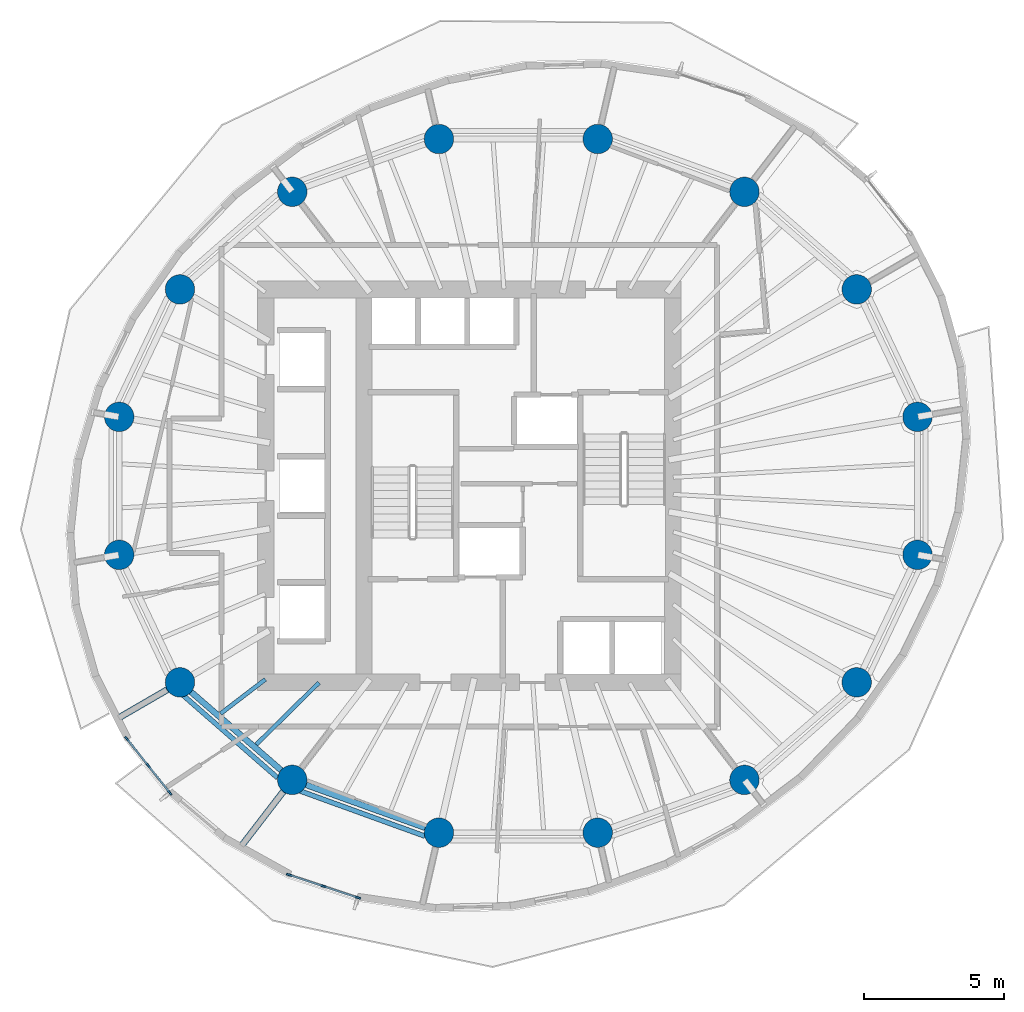
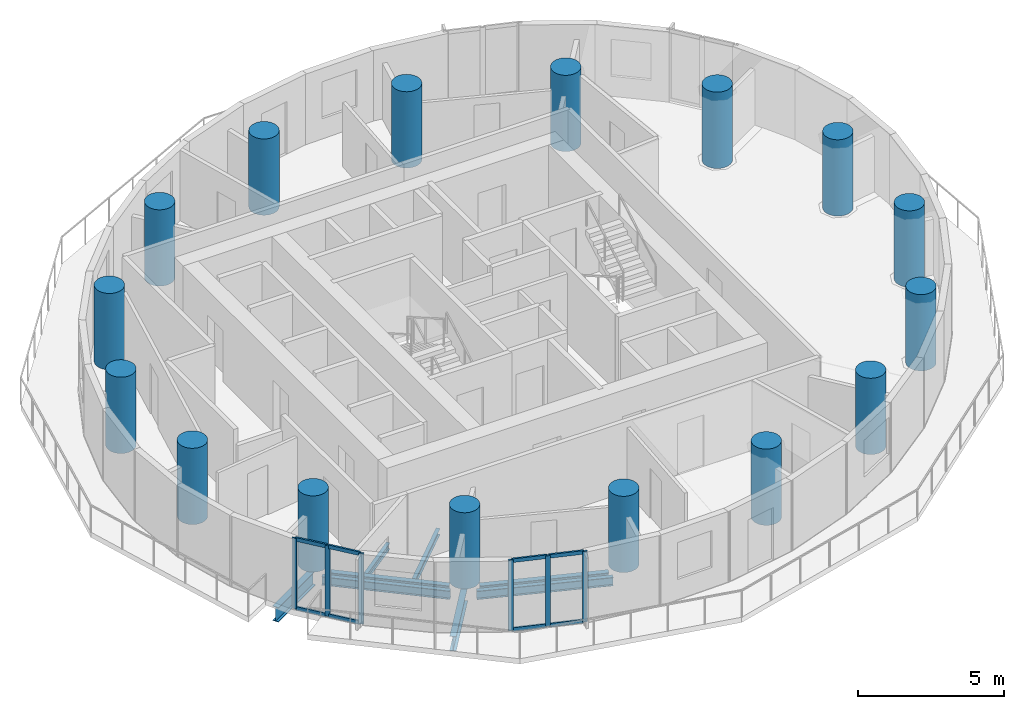
# One storey, part 1 of 12: 16 columns, 14 members, 8 beams, 2 elements without a shape of their own.
"""IFC4 building model written with IfcOpenShell, lengths in metres."""

from ifc_helpers import new_model, si_unit, direction, frame, origin, origin_2d, place, context, subcontext, project, spatial, rectangle, circle, i_section, extrude, material, material_profile, profile_set, type_object, element, aggregate, save


model = new_model("IFC4")

# Units and contexts
model_context = context("Model", 3, precision=1e-05, world=origin(), true_north=direction((0.0, 1.0)))
body_context = subcontext(model_context, "Body", "Model", "MODEL_VIEW")
ifc_project = project(units=[si_unit("LENGTHUNIT", "METRE"), si_unit("AREAUNIT", "SQUARE_METRE"), si_unit("VOLUMEUNIT", "CUBIC_METRE"), si_unit("PLANEANGLEUNIT", "RADIAN"), si_unit("MASSUNIT", "GRAM", prefix="KILO")], contexts=[model_context])

# Site, building, storey
site_placement = place(None, origin())
site = spatial("IfcSite", under=ifc_project, at=site_placement, CompositionType="ELEMENT")
building_placement = place(site_placement, origin())
building = spatial("IfcBuilding", under=site, at=building_placement, Name="Veldorim Arch Residences", CompositionType="ELEMENT")
storey_placement = place(building_placement, frame((0.0, 0.0, 136.159912109375)))
storey = spatial("IfcBuildingStorey", under=building, at=storey_placement, Name="L40", CompositionType="ELEMENT", Elevation=136.159912109375)

# Columns
ifc_material_1 = material(Name="Concrete C50/60", Category="concrete")
ifc_material_profile_1 = material_profile(ifc_material_1, circle(Radius=0.52490234375, at=origin_2d()), Name="RC_CIRC_1050")
ifc_profile_set_1 = profile_set([ifc_material_profile_1], Name="Concrete C50/60")
column_type = type_object("IfcColumnType", Name="Structural Column RC_CIRC_1050", PredefinedType="COLUMN", material=ifc_profile_set_1)
for number, where, z_axis, x_axis, name in (
    (1, (46.221435546875, 26.4580078125, 0.0), (0.0, 0.0, 1.0), (1.0, 0.0, 0.0), "L40 TC-Z3-01 perimeter column"),
    (2, (44.056396484375, 31.000244140625, 0.0), (0.0, 0.0, 1.0), (1.0, 0.0, 0.0), "L40 TC-Z3-02 perimeter column"),
    (3, (40.055908203125, 34.4765625, 0.0), (0.0, 0.0, 1.0), (1.0, 0.0, 0.0), "L40 TC-Z3-03 perimeter column"),
    (4, (34.828857421875, 36.35791015625, 0.0), (0.0, 0.0, 1.0), (1.0, 0.0, 0.0), "L40 TC-Z3-04 perimeter column"),
    (5, (29.171142578125, 36.35791015625, 0.0), (0.0, 0.0, 1.0), (1.0, 0.0, 0.0), "L40 TC-Z3-05 perimeter column"),
    (6, (23.944091796875, 34.4765625, 0.0), (0.0, 0.0, 1.0), (1.0, 0.0, 0.0), "L40 TC-Z3-06 perimeter column"),
    (7, (19.943603515625, 31.000244140625, 0.0), (0.0, 0.0, 1.0), (1.0, 0.0, 0.0), "L40 TC-Z3-07 perimeter column"),
    (8, (17.778564453125, 26.4580078125, 0.0), (0.0, 0.0, 1.0), (1.0, 0.0, 0.0), "L40 TC-Z3-08 perimeter column"),
    (9, (17.778564453125, 21.5419921875, 0.0), (0.0, 0.0, 1.0), (1.0, 0.0, 0.0), "L40 TC-Z3-09 perimeter column"),
    (10, (19.943603515625, 16.999755859375, 0.0), (0.0, 0.0, 1.0), (1.0, 0.0, 0.0), "L40 TC-Z3-10 perimeter column"),
    (11, (23.944091796875, 13.5234375, 0.0), (0.0, 0.0, 1.0), (1.0, 0.0, 0.0), "L40 TC-Z3-11 perimeter column"),
    (12, (29.171142578125, 11.64208984375, 0.0), (0.0, 0.0, 1.0), (1.0, 0.0, 0.0), "L40 TC-Z3-12 perimeter column"),
    (13, (34.828857421875, 11.64208984375, 0.0), (0.0, 0.0, 1.0), (1.0, 0.0, 0.0), "L40 TC-Z3-13 perimeter column"),
    (14, (40.055908203125, 13.5234375, 0.0), (0.0, 0.0, 1.0), (1.0, 0.0, 0.0), "L40 TC-Z3-14 perimeter column"),
    (15, (44.056396484375, 16.999755859375, 0.0), (0.0, 0.0, 1.0), (1.0, 0.0, 0.0), "L40 TC-Z3-15 perimeter column"),
    (16, (46.221435546875, 21.5419921875, 0.0), (0.0, 0.0, 1.0), (1.0, 0.0, 0.0), "L40 TC-Z3-16 perimeter column"),
):
    element("IfcColumn", number, at=place(storey_placement, frame(where, z_axis=z_axis, x_axis=x_axis)), inside=storey, type_object=column_type, Name=name, PredefinedType="COLUMN", context=body_context, shape_type="SweptSolid", body=[
        extrude(circle(Radius=0.52490234375, at=origin_2d()), origin(), (0.0, 0.0, 1.0), 3.2001953125),
    ])

# Beams
ifc_material_2 = material(Name="Steel S355", Category="steel")
ifc_material_profile_2 = material_profile(ifc_material_2, i_section(OverallWidth=0.2099609375, OverallDepth=0.53662109375, WebThickness=0.0107421875, FlangeThickness=0.017333984375, at=origin_2d()), Name="UB533x210x101")
ifc_profile_set_2 = profile_set([ifc_material_profile_2], Name="Steel S355")
beam_type_1 = type_object("IfcBeamType", Name="Structural Steel Beam UB533x210x101", PredefinedType="BEAM", material=ifc_profile_set_2)
beam_1_placement = place(storey_placement, frame((20.340087890625, 16.655517578125, -0.50830078125), z_axis=(0.754810789581, -0.655942582802, 0.0), x_axis=(0.655942582802, 0.754810789581, 0.0)))
element("IfcBeam", 17, at=beam_1_placement, inside=storey, type_object=beam_type_1, Name="L40 perimeter ring tie beam 10", PredefinedType="BEAM", context=body_context, shape_type="SweptSolid", body=[
    extrude(i_section(OverallWidth=0.2099609375, OverallDepth=0.53662109375, WebThickness=0.0107421875, FlangeThickness=0.017333984375, at=origin_2d()), origin(), (0.0, 0.0, 1.0), 4.249755859375),
])
beam_2_placement = place(storey_placement, frame((24.438232421875, 13.345703125, -0.50830078125), z_axis=(0.940899155006, -0.338686846673, 0.0), x_axis=(0.338686846673, 0.940899155006, 0.0)))
element("IfcBeam", 18, at=beam_2_placement, inside=storey, type_object=beam_type_1, Name="L40 perimeter ring tie beam 11", PredefinedType="BEAM", context=body_context, shape_type="SweptSolid", body=[
    extrude(i_section(OverallWidth=0.2099609375, OverallDepth=0.53662109375, WebThickness=0.0107421875, FlangeThickness=0.017333984375, at=origin_2d()), origin(), (0.0, 0.0, 1.0), 4.50537109375),
])
ifc_material_3 = material(Name="Steel S355", Category="steel")
ifc_material_profile_3 = material_profile(ifc_material_3, i_section(OverallWidth=0.22900390625, OverallDepth=0.6123046875, WebThickness=0.011962890625, FlangeThickness=0.01953125, at=origin_2d()), Name="UB610x229x125")
ifc_profile_set_3 = profile_set([ifc_material_profile_3], Name="Steel S355")
beam_type_2 = type_object("IfcBeamType", Name="Structural Steel Beam UB610x229x125", PredefinedType="BEAM", material=ifc_profile_set_3)
beam_3_placement = place(storey_placement, frame((19.926513671875, 16.98974609375, -0.5458984375), z_axis=(-0.864786295309, -0.502140083488, 0.0), x_axis=(0.502140083488, -0.864786295309, 0.0)))
element("IfcBeam", 19, at=beam_3_placement, inside=storey, type_object=beam_type_2, Name="L40 radial edge cantilever girder 10", PredefinedType="BEAM", context=body_context, shape_type="SweptSolid", body=[
    extrude(i_section(OverallWidth=0.22900390625, OverallDepth=0.6123046875, WebThickness=0.011962890625, FlangeThickness=0.01953125, at=origin_2d()), origin(), (0.0, 0.0, 1.0), 2.579833984375),
])
beam_4_placement = place(storey_placement, frame((23.931884765625, 13.507568359375, -0.5458984375), z_axis=(-0.609562364778, -0.792738117821, 0.0), x_axis=(0.792738117821, -0.609562364778, 0.0)))
element("IfcBeam", 20, at=beam_4_placement, inside=storey, type_object=beam_type_2, Name="L40 radial edge cantilever girder 11", PredefinedType="BEAM", context=body_context, shape_type="SweptSolid", body=[
    extrude(i_section(OverallWidth=0.22900390625, OverallDepth=0.6123046875, WebThickness=0.011962890625, FlangeThickness=0.01953125, at=origin_2d()), origin(), (0.0, 0.0, 1.0), 3.021484375),
])
ifc_material_4 = material(Name="Steel S355", Category="steel")
ifc_material_profile_4 = material_profile(ifc_material_4, i_section(OverallWidth=0.146484375, OverallDepth=0.256103515625, WebThickness=0.00634765625, FlangeThickness=0.010986328125, at=origin_2d()), Name="UB254x146x37")
ifc_profile_set_4 = profile_set([ifc_material_profile_4], Name="Steel S355")
beam_type_3 = type_object("IfcBeamType", Name="Structural Steel Joist UB254x146x37", PredefinedType="JOIST", material=ifc_profile_set_4)
beam_5_placement = place(storey_placement, frame((22.984130859375, 17.10302734375, -0.367919921875), z_axis=(-0.794312925337, -0.607508828448, 0.0), x_axis=(0.607508828448, -0.794312925337, 0.0)))
element("IfcBeam", 21, at=beam_5_placement, inside=storey, type_object=beam_type_3, Name="L40 secondary radial floor joist 10-1", PredefinedType="JOIST", context=body_context, shape_type="SweptSolid", body=[
    extrude(i_section(OverallWidth=0.146484375, OverallDepth=0.256103515625, WebThickness=0.00634765625, FlangeThickness=0.010986328125, at=origin_2d()), origin(), (0.0, 0.0, 1.0), 2.006103515625),
])
beam_6_placement = place(storey_placement, frame((24.894287109375, 16.986083984375, -0.367919921875), z_axis=(-0.711683379532, -0.702500368183, 0.0), x_axis=(0.702500368183, -0.711683379532, 0.0)))
element("IfcBeam", 22, at=beam_6_placement, inside=storey, type_object=beam_type_3, Name="L40 secondary radial floor joist 10-2", PredefinedType="JOIST", context=body_context, shape_type="SweptSolid", body=[
    extrude(i_section(OverallWidth=0.146484375, OverallDepth=0.256103515625, WebThickness=0.00634765625, FlangeThickness=0.010986328125, at=origin_2d()), origin(), (0.0, 0.0, 1.0), 3.13720703125),
])
ifc_material_5 = material(Name="Steel S355", Category="steel")
ifc_material_profile_5 = material_profile(ifc_material_5, i_section(OverallWidth=0.172119140625, OverallDepth=0.35791015625, WebThickness=0.008056640625, FlangeThickness=0.012939453125, at=origin_2d()), Name="UB356x171x57")
ifc_profile_set_5 = profile_set([ifc_material_profile_5], Name="Steel S355")
beam_type_4 = type_object("IfcBeamType", Name="Structural Steel Spandrel UB356x171x57", PredefinedType="SPANDREL", material=ifc_profile_set_5)
beam_7_placement = place(storey_placement, frame((20.0419921875, 16.55078125, -0.43896484375), z_axis=(0.753014748982, -0.658003638148, 0.0), x_axis=(0.658003638148, 0.753014748982, 0.0)))
element("IfcBeam", 23, at=beam_7_placement, inside=storey, type_object=beam_type_4, Name="L40 perimeter chord spandrel beam 10", PredefinedType="SPANDREL", context=body_context, shape_type="SweptSolid", body=[
    extrude(i_section(OverallWidth=0.172119140625, OverallDepth=0.35791015625, WebThickness=0.008056640625, FlangeThickness=0.012939453125, at=origin_2d()), origin(), (0.0, 0.0, 1.0), 4.486572265625),
])
beam_8_placement = place(storey_placement, frame((24.20263671875, 13.13720703125, -0.43896484375), z_axis=(0.940212553113, -0.340588248429, 0.0), x_axis=(0.340588248429, 0.940212553113, 0.0)))
element("IfcBeam", 24, at=beam_8_placement, inside=storey, type_object=beam_type_4, Name="L40 perimeter chord spandrel beam 11", PredefinedType="SPANDREL", context=body_context, shape_type="SweptSolid", body=[
    extrude(i_section(OverallWidth=0.172119140625, OverallDepth=0.35791015625, WebThickness=0.008056640625, FlangeThickness=0.012939453125, at=origin_2d()), origin(), (0.0, 0.0, 1.0), 4.75390625),
])

# Curtain wall, members
ifc_material_6 = material(Name="Aluminium", Category="aluminium")
curtain_wall_type = type_object("IfcCurtainWallType", Name="Zone 3 High-Wind Unitised Curtain Wall", PredefinedType="NOTDEFINED", material=ifc_material_6)
curtain_wall_1_placement = place(storey_placement, origin())
curtain_wall_1 = element("IfcCurtainWall", 25, at=curtain_wall_1_placement, inside=storey, type_object=curtain_wall_type, Name="L40 unitised curtain wall bay 19", PredefinedType="NOTDEFINED")
ifc_material_7 = material(Name="Aluminium", Category="aluminium")
ifc_material_profile_6 = material_profile(ifc_material_7, rectangle(XDim=0.070068359375, YDim=0.179931640625, at=origin_2d()), Name="ALU_MUL_70x180")
ifc_profile_set_6 = profile_set([ifc_material_profile_6], Name="Aluminium")
member_type_1 = type_object("IfcMemberType", Name="Zone 3 High-Wind Unitised Curtain Wall Mullion 70x180", PredefinedType="MULLION", material=ifc_profile_set_6)
member_1_placement = place(storey_placement, frame((19.58251953125, 13.0634765625, 0.0), z_axis=(0.0, 0.0, 1.0), x_axis=(-0.782556048079, -0.622580140716, 0.0)))
member_1 = element("IfcMember", 26, at=member_1_placement, type_object=member_type_1, Name="CW-Z3 mullion 1", PredefinedType="MULLION", context=body_context, shape_type="SweptSolid", body=[
    extrude(rectangle(XDim=0.070068359375, YDim=0.179931640625, at=origin_2d()), origin(), (0.0, 0.0, 1.0), 2.960205078125),
])
member_2_placement = place(storey_placement, frame((18.8154296875, 14.02783203125, 0.0), z_axis=(0.0, 0.0, 1.0), x_axis=(-0.782556048079, -0.622580140716, 0.0)))
member_2 = element("IfcMember", 27, at=member_2_placement, type_object=member_type_1, Name="CW-Z3 mullion 2", PredefinedType="MULLION", context=body_context, shape_type="SweptSolid", body=[
    extrude(rectangle(XDim=0.070068359375, YDim=0.179931640625, at=origin_2d()), origin(), (0.0, 0.0, 1.0), 2.960205078125),
])
member_3_placement = place(storey_placement, frame((18.04833984375, 14.991943359375, 0.0), z_axis=(0.0, 0.0, 1.0), x_axis=(-0.782556048079, -0.622580140716, 0.0)))
member_3 = element("IfcMember", 28, at=member_3_placement, type_object=member_type_1, Name="CW-Z3 mullion 3", PredefinedType="MULLION", context=body_context, shape_type="SweptSolid", body=[
    extrude(rectangle(XDim=0.070068359375, YDim=0.179931640625, at=origin_2d()), origin(), (0.0, 0.0, 1.0), 2.960205078125),
])

curtain_wall_2_placement = place(storey_placement, origin())
curtain_wall_2 = element("IfcCurtainWall", 29, at=curtain_wall_2_placement, inside=storey, type_object=curtain_wall_type, Name="L40 unitised curtain wall bay 22", PredefinedType="NOTDEFINED")
member_4_placement = place(storey_placement, frame((26.28759765625, 9.3251953125, 0.0), z_axis=(0.0, 0.0, 1.0), x_axis=(-0.315551503895, -0.948908451006, 0.0)))
member_4 = element("IfcMember", 30, at=member_4_placement, type_object=member_type_1, Name="CW-Z3 mullion 1", PredefinedType="MULLION", context=body_context, shape_type="SweptSolid", body=[
    extrude(rectangle(XDim=0.070068359375, YDim=0.179931640625, at=origin_2d()), origin(), (0.0, 0.0, 1.0), 2.960205078125),
])
member_5_placement = place(storey_placement, frame((25.0576171875, 9.734130859375, 0.0), z_axis=(0.0, 0.0, 1.0), x_axis=(-0.315551503895, -0.948908451006, 0.0)))
member_5 = element("IfcMember", 31, at=member_5_placement, type_object=member_type_1, Name="CW-Z3 mullion 2", PredefinedType="MULLION", context=body_context, shape_type="SweptSolid", body=[
    extrude(rectangle(XDim=0.070068359375, YDim=0.179931640625, at=origin_2d()), origin(), (0.0, 0.0, 1.0), 2.960205078125),
])
member_6_placement = place(storey_placement, frame((23.827880859375, 10.14306640625, 0.0), z_axis=(0.0, 0.0, 1.0), x_axis=(-0.315551503895, -0.948908451006, 0.0)))
member_6 = element("IfcMember", 32, at=member_6_placement, type_object=member_type_1, Name="CW-Z3 mullion 3", PredefinedType="MULLION", context=body_context, shape_type="SweptSolid", body=[
    extrude(rectangle(XDim=0.070068359375, YDim=0.179931640625, at=origin_2d()), origin(), (0.0, 0.0, 1.0), 2.960205078125),
])

# Member
ifc_material_8 = material(Name="Aluminium", Category="aluminium")
ifc_material_profile_7 = material_profile(ifc_material_8, rectangle(XDim=0.070068359375, YDim=0.155029296875, at=origin_2d()), Name="ALU_TRN_70x155")
ifc_profile_set_7 = profile_set([ifc_material_profile_7], Name="Aluminium")
member_type_2 = type_object("IfcMemberType", Name="Zone 3 High-Wind Unitised Curtain Wall Transom 70x155", PredefinedType="USERDEFINED", material=ifc_profile_set_7)
member_7_placement = place(storey_placement, frame((19.560791015625, 13.091064453125, 0.03515625), z_axis=(-0.622745807407, 0.782424219562, 0.0), x_axis=(-0.782424219562, -0.622745807407, 0.0)))
member_7 = element("IfcMember", 33, at=member_7_placement, type_object=member_type_2, Name="CW-Z3 transom 1.1", ObjectType="TRANSOM", PredefinedType="USERDEFINED", context=body_context, shape_type="SweptSolid", body=[
    extrude(rectangle(XDim=0.070068359375, YDim=0.155029296875, at=origin_2d()), origin(), (0.0, 0.0, 1.0), 1.162109375),
])

member_8_placement = place(storey_placement, frame((19.560791015625, 13.091064453125, 2.925048828125), z_axis=(-0.622745807407, 0.782424219562, 0.0), x_axis=(-0.782424219562, -0.622745807407, 0.0)))
member_8 = element("IfcMember", 34, at=member_8_placement, type_object=member_type_2, Name="CW-Z3 transom 1.2", ObjectType="TRANSOM", PredefinedType="USERDEFINED", context=body_context, shape_type="SweptSolid", body=[
    extrude(rectangle(XDim=0.070068359375, YDim=0.155029296875, at=origin_2d()), origin(), (0.0, 0.0, 1.0), 1.162109375),
])

member_9_placement = place(storey_placement, frame((18.793701171875, 14.05517578125, 0.03515625), z_axis=(-0.622643445839, 0.782505680078, 0.0), x_axis=(-0.782505680078, -0.622643445839, 0.0)))
member_9 = element("IfcMember", 35, at=member_9_placement, type_object=member_type_2, Name="CW-Z3 transom 2.1", ObjectType="TRANSOM", PredefinedType="USERDEFINED", context=body_context, shape_type="SweptSolid", body=[
    extrude(rectangle(XDim=0.070068359375, YDim=0.155029296875, at=origin_2d()), origin(), (0.0, 0.0, 1.0), 1.162109375),
])

member_10_placement = place(storey_placement, frame((18.793701171875, 14.05517578125, 2.925048828125), z_axis=(-0.622643445839, 0.782505680078, 0.0), x_axis=(-0.782505680078, -0.622643445839, 0.0)))
member_10 = element("IfcMember", 36, at=member_10_placement, type_object=member_type_2, Name="CW-Z3 transom 2.2", ObjectType="TRANSOM", PredefinedType="USERDEFINED", context=body_context, shape_type="SweptSolid", body=[
    extrude(rectangle(XDim=0.070068359375, YDim=0.155029296875, at=origin_2d()), origin(), (0.0, 0.0, 1.0), 1.162109375),
])

aggregate(curtain_wall_1, [member_1, member_2, member_3, member_7, member_8, member_9, member_10])

member_11_placement = place(storey_placement, frame((26.25439453125, 9.336181640625, 0.03515625), z_axis=(-0.948902078568, 0.315570666079, 0.0), x_axis=(-0.315570666079, -0.948902078568, 0.0)))
member_11 = element("IfcMember", 37, at=member_11_placement, type_object=member_type_2, Name="CW-Z3 transom 1.1", ObjectType="TRANSOM", PredefinedType="USERDEFINED", context=body_context, shape_type="SweptSolid", body=[
    extrude(rectangle(XDim=0.070068359375, YDim=0.155029296875, at=origin_2d()), origin(), (0.0, 0.0, 1.0), 1.226318359375),
])

member_12_placement = place(storey_placement, frame((26.25439453125, 9.336181640625, 2.925048828125), z_axis=(-0.948902078568, 0.315570666079, 0.0), x_axis=(-0.315570666079, -0.948902078568, 0.0)))
member_12 = element("IfcMember", 38, at=member_12_placement, type_object=member_type_2, Name="CW-Z3 transom 1.2", ObjectType="TRANSOM", PredefinedType="USERDEFINED", context=body_context, shape_type="SweptSolid", body=[
    extrude(rectangle(XDim=0.070068359375, YDim=0.155029296875, at=origin_2d()), origin(), (0.0, 0.0, 1.0), 1.226318359375),
])

member_13_placement = place(storey_placement, frame((25.0244140625, 9.7451171875, 0.03515625), z_axis=(-0.948882245783, 0.315630295817, 0.0), x_axis=(-0.315630295817, -0.948882245783, 0.0)))
member_13 = element("IfcMember", 39, at=member_13_placement, type_object=member_type_2, Name="CW-Z3 transom 2.1", ObjectType="TRANSOM", PredefinedType="USERDEFINED", context=body_context, shape_type="SweptSolid", body=[
    extrude(rectangle(XDim=0.070068359375, YDim=0.155029296875, at=origin_2d()), origin(), (0.0, 0.0, 1.0), 1.22607421875),
])

member_14_placement = place(storey_placement, frame((25.0244140625, 9.7451171875, 2.925048828125), z_axis=(-0.948882245783, 0.315630295817, 0.0), x_axis=(-0.315630295817, -0.948882245783, 0.0)))
member_14 = element("IfcMember", 40, at=member_14_placement, type_object=member_type_2, Name="CW-Z3 transom 2.2", ObjectType="TRANSOM", PredefinedType="USERDEFINED", context=body_context, shape_type="SweptSolid", body=[
    extrude(rectangle(XDim=0.070068359375, YDim=0.155029296875, at=origin_2d()), origin(), (0.0, 0.0, 1.0), 1.22607421875),
])

aggregate(curtain_wall_2, [member_4, member_5, member_6, member_11, member_12, member_13, member_14])

save(model, "model.ifc")
